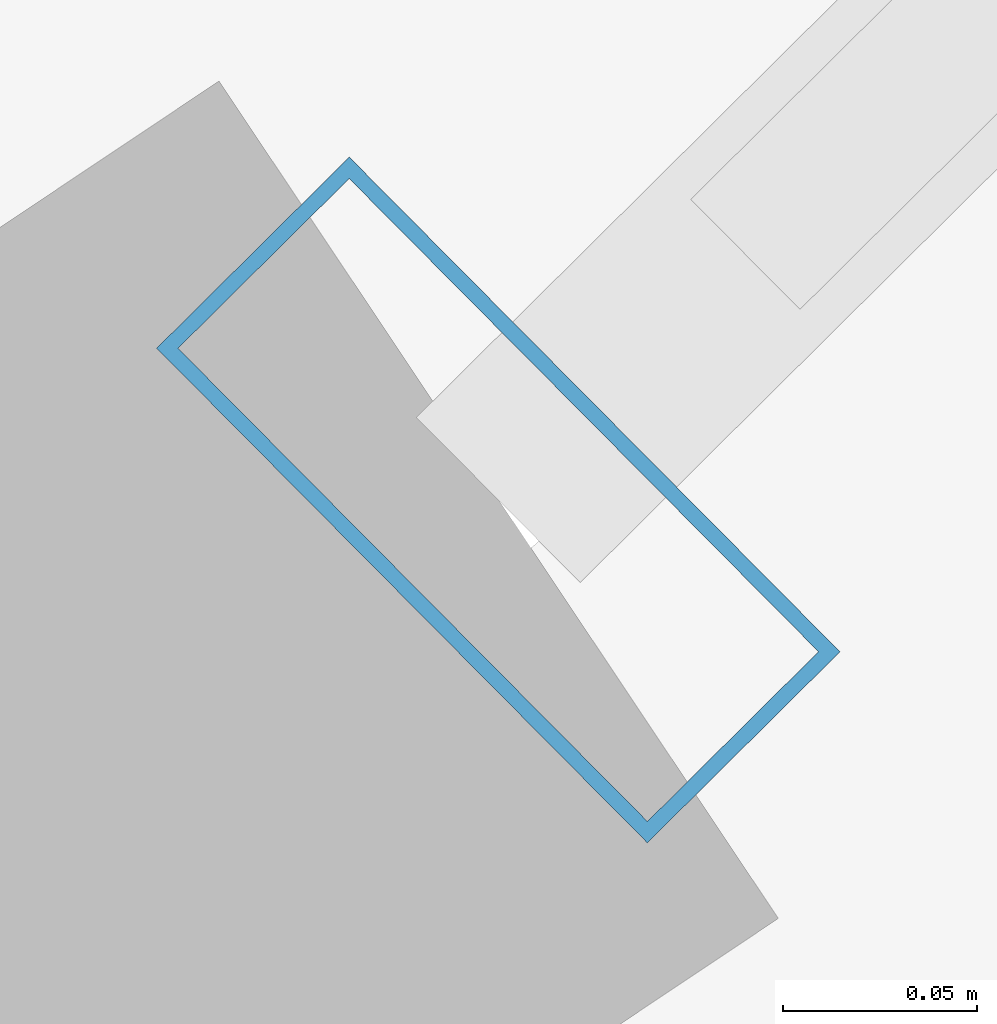
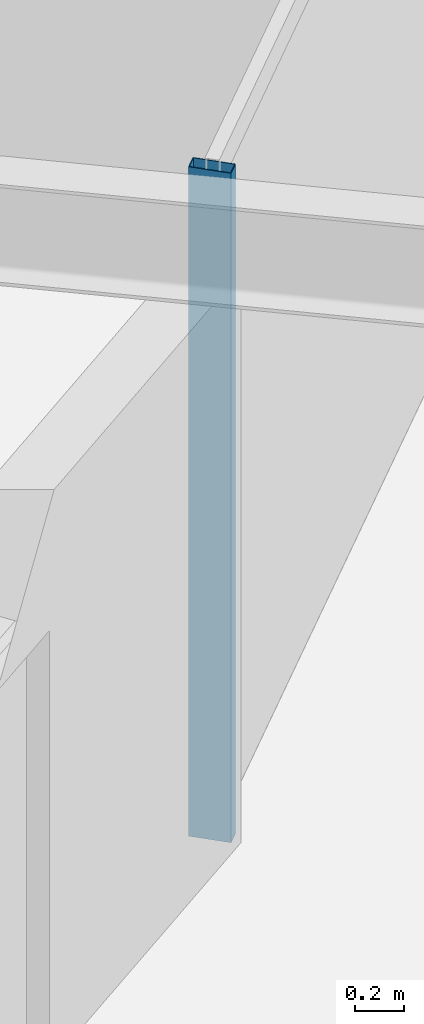
# One storey, part 4 of 14: 1 member, 1 element without a shape of its own.
"""IFC4 building model written with IfcOpenShell, lengths in metres."""

import ifcopenshell
import ifcopenshell.guid

model = None  # the IFC model being written
_history = None  # IfcOwnerHistory: only IFC2X3 demands one
_inside = {}  # id of a spatial element -> (the spatial element, [elements in it])
_under = {}  # id of a project, library or spatial element -> (it, [spatial elements below it])
_declared = {}  # id of a project -> (the project, [libraries it declares])
_typed = {}  # id of a type object -> (the type object, [elements of that type])
_made_of = {}  # id of a material, layer set ... -> (it, [elements and type objects made of it])


def new_model(schema):
    """Start an empty IFC model of exactly this schema.

    Asked for "IFC4X3", IfcOpenShell would pick the latest addendum, in which some entities
    have other attributes; the version numbers below select the first issue.
    IFC2X3 requires an IfcOwnerHistory on every rooted entity: one is made here for all.
    """
    global model, _history
    if schema == "IFC4X3":
        model = ifcopenshell.file(schema_version=(4, 3, 0, 0))
    else:
        model = ifcopenshell.file(schema=schema)
    _inside.clear()
    _under.clear()
    _declared.clear()
    _typed.clear()
    _made_of.clear()
    _history = None
    if model.schema == "IFC2X3":
        org = make("IfcOrganization", Name="unknown")
        user = make(
            "IfcPersonAndOrganization",
            ThePerson=make("IfcPerson", FamilyName="unknown"),
            TheOrganization=org,
        )
        app = make(
            "IfcApplication",
            ApplicationDeveloper=org,
            Version="unknown",
            ApplicationFullName="unknown",
            ApplicationIdentifier="unknown",
        )
        _history = make(
            "IfcOwnerHistory",
            OwningUser=user,
            OwningApplication=app,
            ChangeAction="ADDED",
            CreationDate=0,
        )
    return model


def make(cls, **values):
    """One entity of the class cls with the attributes given. An attribute that is None is left unset."""
    return model.create_entity(
        cls, **{name: value for name, value in values.items() if value is not None}
    )


def rooted(cls, **values):
    """An entity with a GlobalId (a new one), such as an element, a storey or a relation."""
    return make(cls, GlobalId=ifcopenshell.guid.new(), OwnerHistory=_history, **values)


def si_unit(unit_type, name, prefix=None):
    """IfcSIUnit, for example si_unit("LENGTHUNIT", "METRE", prefix="MILLI")."""
    return make("IfcSIUnit", UnitType=unit_type, Prefix=prefix, Name=name)


def assignment(units):
    """IfcUnitAssignment: the units of a project."""
    return None if units is None else make("IfcUnitAssignment", Units=units)


def point(xyz):
    """IfcCartesianPoint."""
    return None if xyz is None else make("IfcCartesianPoint", Coordinates=xyz)


def direction(xyz):
    """IfcDirection."""
    return None if xyz is None else make("IfcDirection", DirectionRatios=xyz)


def frame(location, z_axis=None, x_axis=None):
    """IfcAxis2Placement3D, a coordinate frame: its origin and axes. An axis left out is left unset."""
    return make(
        "IfcAxis2Placement3D",
        Location=point(location),
        Axis=direction(z_axis),
        RefDirection=direction(x_axis),
    )


def frame_2d(location, x_axis=None):
    """IfcAxis2Placement2D, a coordinate frame in the plane: its origin and x axis."""
    return make(
        "IfcAxis2Placement2D", Location=point(location), RefDirection=direction(x_axis)
    )


def origin():
    """The frame at (0, 0, 0) with its axes left unset."""
    return frame((0.0, 0.0, 0.0))


def origin_2d():
    """The frame at (0, 0) in the plane with its x axis left unset."""
    return frame_2d((0.0, 0.0))


def place(relative_to, where):
    """IfcLocalPlacement: puts the frame where relative to a parent placement (None: the world)."""
    return make(
        "IfcLocalPlacement", PlacementRelTo=relative_to, RelativePlacement=where
    )


def context(
    kind, dimensions, precision=None, world=None, true_north=None, identifier=None
):
    """IfcGeometricRepresentationContext, for example the 3D "Model" context."""
    return make(
        "IfcGeometricRepresentationContext",
        ContextIdentifier=identifier,
        ContextType=kind,
        CoordinateSpaceDimension=dimensions,
        Precision=precision,
        WorldCoordinateSystem=world,
        TrueNorth=true_north,
    )


def subcontext(parent, identifier, kind, view, scale=None):
    """IfcGeometricRepresentationSubContext, for example "Body" below "Model"."""
    return make(
        "IfcGeometricRepresentationSubContext",
        ContextIdentifier=identifier,
        ContextType=kind,
        ParentContext=parent,
        TargetScale=scale,
        TargetView=view,
    )


def project(units=None, contexts=None):
    """IfcProject with its units and contexts."""
    return rooted(
        "IfcProject",
        Name="project",
        RepresentationContexts=contexts,
        UnitsInContext=assignment(units),
    )


def spatial(cls, under=None, at=None, **own):
    """A site, building, storey or space (cls), placed at a placement, below another one or the project."""
    s = rooted(cls, ObjectPlacement=at, **own)
    if under is not None:
        _under.setdefault(under.id(), (under, []))[1].append(s)
    return s


def profile(cls, at=None, kind="AREA", **sizes):
    """A parametric profile (cls). Its sizes go by their IFC names, for example OverallWidth=200.0."""
    return make(cls, ProfileType=kind, Position=at, **sizes)


def hollow_rectangle(**sizes):
    """IfcRectangleHollowProfileDef."""
    return profile("IfcRectangleHollowProfileDef", **sizes)


def extrude(swept, where, along, depth):
    """IfcExtrudedAreaSolid: the profile swept, set in the frame where, extruded along a direction by depth."""
    return make(
        "IfcExtrudedAreaSolid",
        SweptArea=swept,
        Position=where,
        ExtrudedDirection=direction(along),
        Depth=depth,
    )


def shape(context_of_items, identifier, shape_type, items):
    """IfcShapeRepresentation: the items that make up one representation, for example the "Body"."""
    return make(
        "IfcShapeRepresentation",
        ContextOfItems=context_of_items,
        RepresentationIdentifier=identifier,
        RepresentationType=shape_type,
        Items=items,
    )


def material(Name=None, Category=None):
    """IfcMaterial."""
    return make("IfcMaterial", Name=Name, Category=Category)


def layer(
    of_material, thickness, ventilated=None, Name=None, Category=None, Priority=None
):
    """IfcMaterialLayer: one layer of a wall or slab, of a material (None: an air gap)."""
    return make(
        "IfcMaterialLayer",
        Material=of_material,
        LayerThickness=thickness,
        IsVentilated=ventilated,
        Name=Name,
        Category=Category,
        Priority=Priority,
    )


def layer_set(layers, Name=None):
    """IfcMaterialLayerSet."""
    return make("IfcMaterialLayerSet", MaterialLayers=layers, LayerSetName=Name)


def material_profile(
    of_material, cross_section, Name=None, Category=None, Priority=None
):
    """IfcMaterialProfile: a cross section and its material."""
    return make(
        "IfcMaterialProfile",
        Name=Name,
        Material=of_material,
        Profile=cross_section,
        Priority=Priority,
        Category=Category,
    )


def profile_set(profiles, Name=None, composite=None):
    """IfcMaterialProfileSet."""
    return make(
        "IfcMaterialProfileSet",
        Name=Name,
        MaterialProfiles=profiles,
        CompositeProfile=composite,
    )


def made_of(thing, what):
    """Note that an element or type object is made of a material, layer set ...; save() writes the relation."""
    if what is not None:
        _made_of.setdefault(what.id(), (what, []))[1].append(thing)
    return thing


def type_object(cls, material=None, **own):
    """A type object (cls), such as IfcWallType, which elements share."""
    return made_of(rooted(cls, **own), material)


def element(
    cls,
    number,
    at=None,
    inside=None,
    cuts=None,
    type_object=None,
    material=None,
    context=None,
    identifier="Body",
    shape_type=None,
    held_by="IfcProductDefinitionShape",
    body=None,
    shapes=None,
    **own,
):
    """One element of the class cls, such as IfcWall. Its Tag is "e" and its number.

    at: its placement. inside: the storey or other place that contains it. cuts: it is an
    opening in that element (IfcRelVoidsElement). A single representation is given by context,
    identifier, shape_type and body (its items); several are given by shapes. held_by: the class
    of the entity that holds the representations. save() writes the other relations.
    """
    e = rooted(cls, Tag="e%d" % number, ObjectPlacement=at, **own)
    if body is not None:
        shapes = [shape(context, identifier, shape_type, body)]
    if shapes is not None:
        e.Representation = make(held_by, Representations=shapes)
    if inside is not None:
        _inside.setdefault(inside.id(), (inside, []))[1].append(e)
    if cuts is not None:
        rooted(
            "IfcRelVoidsElement", RelatingBuildingElement=cuts, RelatedOpeningElement=e
        )
    if type_object is not None:
        _typed.setdefault(type_object.id(), (type_object, []))[1].append(e)
    return made_of(e, material)


def aggregate(whole, parts):
    """IfcRelAggregates: a whole, such as a stair, and the parts it consists of."""
    return rooted("IfcRelAggregates", RelatingObject=whole, RelatedObjects=parts)


def save(model, path):
    """Write the relations noted so far, then the file.

    IfcRelAggregates (storeys below a building ...), IfcRelContainedInSpatialStructure (elements
    in a storey), IfcRelDefinesByType, IfcRelAssociatesMaterial and IfcRelDeclares: one each for
    every whole, place, type object, material and project.
    """
    for whole, parts in _under.values():
        aggregate(whole, parts)
    for where, things in _inside.values():
        rooted(
            "IfcRelContainedInSpatialStructure",
            RelatedElements=things,
            RelatingStructure=where,
        )
    for kind, things in _typed.values():
        rooted("IfcRelDefinesByType", RelatedObjects=things, RelatingType=kind)
    for what, things in _made_of.values():
        rooted("IfcRelAssociatesMaterial", RelatedObjects=things, RelatingMaterial=what)
    for by, libraries in _declared.values():
        rooted("IfcRelDeclares", RelatingContext=by, RelatedDefinitions=libraries)
    model.write(path)


model = new_model("IFC4")

# Units and contexts
model_context = context("Model", 3, precision=1e-05, world=origin(), true_north=direction((0.0, 1.0)))
body_context = subcontext(model_context, "Body", "Model", "MODEL_VIEW")
ifc_project = project(units=[si_unit("LENGTHUNIT", "METRE"), si_unit("AREAUNIT", "SQUARE_METRE"), si_unit("VOLUMEUNIT", "CUBIC_METRE"), si_unit("PLANEANGLEUNIT", "RADIAN"), si_unit("MASSUNIT", "GRAM", prefix="KILO")], contexts=[model_context])

# Site, building, storey
site_placement = place(None, origin())
site = spatial("IfcSite", under=ifc_project, at=site_placement, CompositionType="ELEMENT")
building_placement = place(site_placement, origin())
building = spatial("IfcBuilding", under=site, at=building_placement, Name="Veldorina Hangang Commons", CompositionType="ELEMENT")
storey_placement = place(building_placement, frame((0.0, 0.0, 149.60009765625)))
storey = spatial("IfcBuildingStorey", under=building, at=storey_placement, Name="L38", CompositionType="ELEMENT", Elevation=149.60009765625)

# Curtain wall, member
ifc_material_1 = material(Name="Glass Low-E Triple IGU", Category="glass")
ifc_layer = layer(ifc_material_1, 0.179931640625)
ifc_layer_set = layer_set([ifc_layer], Name="Glass Low-E Triple IGU")
curtain_wall_type = type_object("IfcCurtainWallType", Name="CW-SYS-Z2", PredefinedType="NOTDEFINED", material=ifc_layer_set)
curtain_wall_placement = place(storey_placement, origin())
curtain_wall = element("IfcCurtainWall", 1, at=curtain_wall_placement, inside=storey, type_object=curtain_wall_type, Name="L38 unitised curtain wall CW-L38-R2", PredefinedType="NOTDEFINED")
ifc_material_2 = material(Name="Aluminium Anodized AA6063-T6", Category="aluminium")
ifc_material_profile = material_profile(ifc_material_2, hollow_rectangle(XDim=0.070068359375, YDim=0.179931640625, WallThickness=0.00390625, at=origin_2d()), Name="ALU-RHS-180x70x4")
ifc_profile_set = profile_set([ifc_material_profile], Name="Aluminium Anodized AA6063-T6")
member_type = type_object("IfcMemberType", Name="CW-MUL-180", PredefinedType="MULLION", material=ifc_profile_set)
member_placement = place(storey_placement, frame((50.24755859375, 9.14501953125, 0.0), z_axis=(0.0, 0.0, 1.0), x_axis=(0.709939584863, 0.704262583022, 0.0)))
member = element("IfcMember", 2, at=member_placement, type_object=member_type, Name="CW-L38-R2 vertical mullion 1", PredefinedType="MULLION", context=body_context, shape_type="SweptSolid", body=[
    extrude(hollow_rectangle(XDim=0.070068359375, YDim=0.179931640625, WallThickness=0.00390625, at=origin_2d()), origin(), (0.0, 0.0, 1.0), 3.309814453125),
])
aggregate(curtain_wall, [member])

save(model, "model.ifc")
